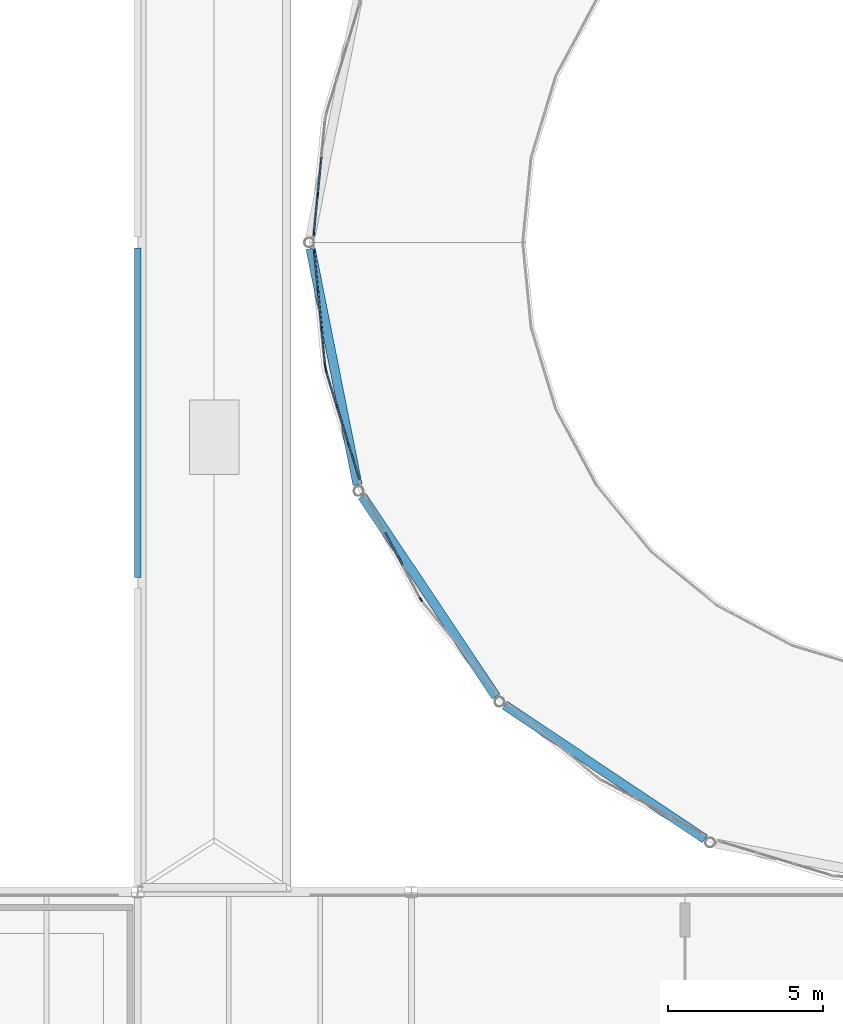
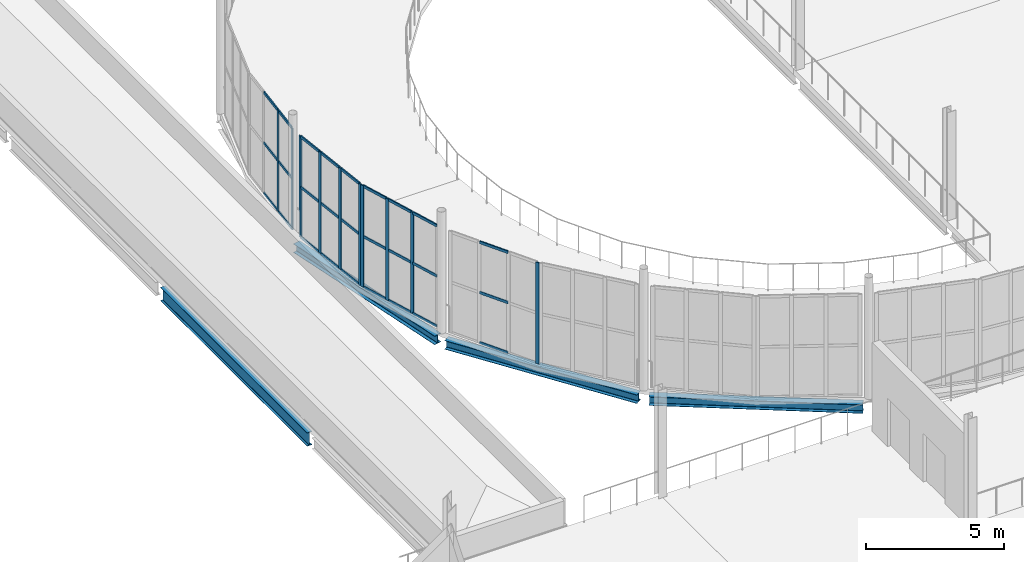
# One storey, part 26 of 112: 37 members, 4 beams, 4 elements without a shape of their own.
"""IFC4 building model written with IfcOpenShell, lengths in metres."""

from ifc_helpers import new_model, si_unit, direction, frame, origin, origin_2d, place, context, subcontext, project, spatial, rectangle, i_section, extrude, material, layer, layer_set, material_profile, profile_set, type_object, element, aggregate, save


model = new_model("IFC4")

# Units and contexts
model_context = context("Model", 3, precision=1e-05, world=origin(), true_north=direction((0.0, 1.0)))
body_context = subcontext(model_context, "Body", "Model", "MODEL_VIEW")
ifc_project = project(units=[si_unit("LENGTHUNIT", "METRE"), si_unit("AREAUNIT", "SQUARE_METRE"), si_unit("VOLUMEUNIT", "CUBIC_METRE"), si_unit("PLANEANGLEUNIT", "RADIAN"), si_unit("MASSUNIT", "GRAM", prefix="KILO")], contexts=[model_context])

# Site, building, storey
site_placement = place(None, origin())
site = spatial("IfcSite", under=ifc_project, at=site_placement, CompositionType="ELEMENT")
building_placement = place(site_placement, origin())
building = spatial("IfcBuilding", under=site, at=building_placement, Name="Yeouljin Market Hall", CompositionType="ELEMENT")
storey_placement = place(building_placement, frame((0.0, 0.0, 6.0)))
storey = spatial("IfcBuildingStorey", under=building, at=storey_placement, Name="L01", CompositionType="ELEMENT", Elevation=6.0)

# Beams
ifc_material_1 = material(Name="Steel SM355", Category="steel")
ifc_material_profile_1 = material_profile(ifc_material_1, i_section(OverallWidth=0.300048828125, OverallDepth=0.389892578125, WebThickness=0.010009765625, FlangeThickness=0.01611328125, FilletRadius=0.01806640625, at=origin_2d()), Name="H-390x300x10x16")
ifc_profile_set_1 = profile_set([ifc_material_profile_1], Name="Steel SM355")
beam_type_1 = type_object("IfcBeamType", Name="Beam_H-390x300x10x16", PredefinedType="BEAM", material=ifc_profile_set_1)
for number, where, z_axis, x_axis, name in (
    (1, (27.194580078125, 37.71142578125, -0.43994140625), (-0.831466218431, 0.555575312274, 0.0), (-0.555575312274, -0.831466218431, 0.0), "Apse ring beam L01 243"),
    (2, (20.43798828125, 42.31982421875, -0.43994140625), (-0.55559698595, 0.831451735943, 0.0), (-0.831451735943, -0.55559698595, 0.0), "Apse ring beam L01 244"),
):
    element("IfcBeam", number, at=place(storey_placement, frame(where, z_axis=z_axis, x_axis=x_axis)), inside=storey, type_object=beam_type_1, Name=name, PredefinedType="BEAM", context=body_context, shape_type="SweptSolid", body=[
        extrude(i_section(OverallWidth=0.300048828125, OverallDepth=0.389892578125, WebThickness=0.010009765625, FlangeThickness=0.01611328125, FilletRadius=0.01806640625, at=origin_2d()), origin(), (0.0, 0.0, 1.0), 7.787353515625),
    ])
beam_1_placement = place(storey_placement, frame((15.958984375, 49.162841796875, -0.43994140625), z_axis=(-0.195091123781, 0.980785120922, 0.0), x_axis=(-0.980785120922, -0.195091123781, 0.0)))
element("IfcBeam", 3, at=beam_1_placement, inside=storey, type_object=beam_type_1, Name="Apse ring beam L01 245", PredefinedType="BEAM", context=body_context, shape_type="SweptSolid", body=[
    extrude(i_section(OverallWidth=0.300048828125, OverallDepth=0.389892578125, WebThickness=0.010009765625, FlangeThickness=0.01611328125, FilletRadius=0.01806640625, at=origin_2d()), origin(), (0.0, 0.0, 1.0), 7.78759765625),
])
ifc_material_2 = material(Name="Steel SM355", Category="steel")
ifc_material_profile_2 = material_profile(ifc_material_2, i_section(OverallWidth=0.199951171875, OverallDepth=0.60009765625, WebThickness=0.010986328125, FlangeThickness=0.01708984375, FilletRadius=0.02197265625, at=origin_2d()), Name="H-600x200x11x17")
ifc_profile_set_2 = profile_set([ifc_material_profile_2], Name="Steel SM355")
beam_type_2 = type_object("IfcBeamType", Name="Beam_H-600x200x11x17", PredefinedType="BEAM", material=ifc_profile_set_2)
beam_2_placement = place(storey_placement, frame((8.85009765625, 46.175048828125, -0.56494140625), z_axis=(0.0, 1.0, 0.0), x_axis=(-1.0, 0.0, 0.0)))
element("IfcBeam", 4, at=beam_2_placement, inside=storey, type_object=beam_type_2, Name="Primary beam BM-L01-Y133", PredefinedType="BEAM", context=body_context, shape_type="SweptSolid", body=[
    extrude(i_section(OverallWidth=0.199951171875, OverallDepth=0.60009765625, WebThickness=0.010986328125, FlangeThickness=0.01708984375, FilletRadius=0.02197265625, at=origin_2d()), origin(), (0.0, 0.0, 1.0), 10.64990234375),
])

# Curtain wall, member
ifc_material_3 = material(Name="Thermally Broken Aluminium", Category="aluminium")
ifc_layer = layer(ifc_material_3, 0.179931640625)
ifc_layer_set = layer_set([ifc_layer], Name="Thermally Broken Aluminium")
curtain_wall_type = type_object("IfcCurtainWallType", Name="CW_ApseCurved_System", PredefinedType="USERDEFINED", material=ifc_layer_set)
curtain_wall_1_placement = place(storey_placement, origin())
curtain_wall_1 = element("IfcCurtainWall", 5, at=curtain_wall_1_placement, inside=storey, type_object=curtain_wall_type, Name="Curtain wall CW-AP-WL01-06", ObjectType="CURTAIN WALL", PredefinedType="USERDEFINED")
ifc_material_4 = material(Name="Thermally Broken Aluminium", Category="aluminium")
ifc_material_profile_3 = material_profile(ifc_material_4, rectangle(XDim=0.048095703125, YDim=0.14990234375, at=origin_2d()), Name="CW-MULL-48x150")
ifc_profile_set_3 = profile_set([ifc_material_profile_3], Name="Thermally Broken Aluminium")
member_type_1 = type_object("IfcMemberType", Name="CWMullion_48x150", PredefinedType="MULLION", material=ifc_profile_set_3)
member_1_placement = place(storey_placement, frame((18.0087890625, 45.4560546875, 0.0), z_axis=(0.0, 0.0, 1.0), x_axis=(-0.881931478712, -0.471377626598, 0.0)))
member_1 = element("IfcMember", 6, at=member_1_placement, type_object=member_type_1, Name="CW-03 mullion 1", PredefinedType="MULLION", context=body_context, shape_type="SweptSolid", body=[
    extrude(rectangle(XDim=0.048095703125, YDim=0.14990234375, at=origin_2d()), origin(), (0.0, 0.0, 1.0), 4.5),
])

# Curtain wall, members
curtain_wall_2_placement = place(storey_placement, origin())
curtain_wall_2 = element("IfcCurtainWall", 7, at=curtain_wall_2_placement, inside=storey, type_object=curtain_wall_type, Name="Curtain wall CW-AP-WL01-07", ObjectType="CURTAIN WALL", PredefinedType="USERDEFINED")
member_2_placement = place(storey_placement, frame((15.6630859375, 50.48095703125, 0.0), z_axis=(0.0, 0.0, 1.0), x_axis=(-0.95693988447, -0.290286164863, 0.0)))
member_2 = element("IfcMember", 8, at=member_2_placement, type_object=member_type_1, Name="CW-03 mullion 2", PredefinedType="MULLION", context=body_context, shape_type="SweptSolid", body=[
    extrude(rectangle(XDim=0.048095703125, YDim=0.14990234375, at=origin_2d()), origin(), (0.0, 0.0, 1.0), 4.5),
])
member_3_placement = place(storey_placement, frame((15.2978515625, 51.6845703125, 0.0), z_axis=(0.0, 0.0, 1.0), x_axis=(-0.95693988447, -0.290286164863, 0.0)))
member_3 = element("IfcMember", 9, at=member_3_placement, type_object=member_type_1, Name="CW-03 mullion 3", PredefinedType="MULLION", context=body_context, shape_type="SweptSolid", body=[
    extrude(rectangle(XDim=0.048095703125, YDim=0.14990234375, at=origin_2d()), origin(), (0.0, 0.0, 1.0), 4.5),
])
member_4_placement = place(storey_placement, frame((14.939697265625, 52.865234375, 0.0), z_axis=(0.0, 0.0, 1.0), x_axis=(-0.95693988447, -0.290286164863, 0.0)))
member_4 = element("IfcMember", 10, at=member_4_placement, type_object=member_type_1, Name="CW-03 mullion 4", PredefinedType="MULLION", context=body_context, shape_type="SweptSolid", body=[
    extrude(rectangle(XDim=0.048095703125, YDim=0.14990234375, at=origin_2d()), origin(), (0.0, 0.0, 1.0), 4.5),
])

curtain_wall_3_placement = place(storey_placement, origin())
curtain_wall_3 = element("IfcCurtainWall", 11, at=curtain_wall_3_placement, inside=storey, type_object=curtain_wall_type, Name="Curtain wall CW-AP-WL01-08", ObjectType="CURTAIN WALL", PredefinedType="USERDEFINED")
member_5_placement = place(storey_placement, frame((14.9150390625, 52.990234375, 0.0), z_axis=(0.0, 0.0, 1.0), x_axis=(-0.995183051807, -0.09803414403, 0.0)))
member_5 = element("IfcMember", 12, at=member_5_placement, type_object=member_type_1, Name="CW-03 mullion 1", PredefinedType="MULLION", context=body_context, shape_type="SweptSolid", body=[
    extrude(rectangle(XDim=0.048095703125, YDim=0.14990234375, at=origin_2d()), origin(), (0.0, 0.0, 1.0), 4.5),
])
member_6_placement = place(storey_placement, frame((14.7939453125, 54.218017578125, 0.0), z_axis=(0.0, 0.0, 1.0), x_axis=(-0.995183051807, -0.09803414403, 0.0)))
member_6 = element("IfcMember", 13, at=member_6_placement, type_object=member_type_1, Name="CW-03 mullion 2", PredefinedType="MULLION", context=body_context, shape_type="SweptSolid", body=[
    extrude(rectangle(XDim=0.048095703125, YDim=0.14990234375, at=origin_2d()), origin(), (0.0, 0.0, 1.0), 4.5),
])
member_7_placement = place(storey_placement, frame((14.670654296875, 55.4697265625, 0.0), z_axis=(0.0, 0.0, 1.0), x_axis=(-0.995183051807, -0.09803414403, 0.0)))
member_7 = element("IfcMember", 14, at=member_7_placement, type_object=member_type_1, Name="CW-03 mullion 3", PredefinedType="MULLION", context=body_context, shape_type="SweptSolid", body=[
    extrude(rectangle(XDim=0.048095703125, YDim=0.14990234375, at=origin_2d()), origin(), (0.0, 0.0, 1.0), 4.5),
])
member_8_placement = place(storey_placement, frame((14.5498046875, 56.697509765625, 0.0), z_axis=(0.0, 0.0, 1.0), x_axis=(-0.995183051807, -0.09803414403, 0.0)))
member_8 = element("IfcMember", 15, at=member_8_placement, type_object=member_type_1, Name="CW-03 mullion 4", PredefinedType="MULLION", context=body_context, shape_type="SweptSolid", body=[
    extrude(rectangle(XDim=0.048095703125, YDim=0.14990234375, at=origin_2d()), origin(), (0.0, 0.0, 1.0), 4.5),
])

curtain_wall_4_placement = place(storey_placement, origin())
curtain_wall_4 = element("IfcCurtainWall", 16, at=curtain_wall_4_placement, inside=storey, type_object=curtain_wall_type, Name="Curtain wall CW-AP-WL01-09", ObjectType="CURTAIN WALL", PredefinedType="USERDEFINED")
member_9_placement = place(storey_placement, frame((14.5498046875, 57.302490234375, 0.0), z_axis=(0.0, 0.0, 1.0), x_axis=(-0.995183051807, 0.09803414403, 0.0)))
member_9 = element("IfcMember", 17, at=member_9_placement, type_object=member_type_1, Name="CW-03 mullion 1", PredefinedType="MULLION", context=body_context, shape_type="SweptSolid", body=[
    extrude(rectangle(XDim=0.048095703125, YDim=0.14990234375, at=origin_2d()), origin(), (0.0, 0.0, 1.0), 4.5),
])
member_10_placement = place(storey_placement, frame((14.670654296875, 58.5302734375, 0.0), z_axis=(0.0, 0.0, 1.0), x_axis=(-0.995183051807, 0.09803414403, 0.0)))
member_10 = element("IfcMember", 18, at=member_10_placement, type_object=member_type_1, Name="CW-03 mullion 2", PredefinedType="MULLION", context=body_context, shape_type="SweptSolid", body=[
    extrude(rectangle(XDim=0.048095703125, YDim=0.14990234375, at=origin_2d()), origin(), (0.0, 0.0, 1.0), 4.5),
])

# Member
ifc_material_5 = material(Name="Thermally Broken Aluminium", Category="aluminium")
ifc_material_profile_4 = material_profile(ifc_material_5, rectangle(XDim=0.048095703125, YDim=0.1201171875, at=origin_2d()), Name="CW-TRAN-48x120")
ifc_profile_set_4 = profile_set([ifc_material_profile_4], Name="Thermally Broken Aluminium")
member_type_2 = type_object("IfcMemberType", Name="CWTransom_48x120", PredefinedType="USERDEFINED", material=ifc_profile_set_4)
member_11_placement = place(storey_placement, frame((17.415771484375, 46.5654296875, 0.02392578125), z_axis=(-0.471425984611, 0.881905630458, 0.0), x_axis=(-0.881905630458, -0.471425984611, 0.0)))
member_11 = element("IfcMember", 19, at=member_11_placement, type_object=member_type_2, Name="CW-03 transom 2.1", ObjectType="TRANSOM", PredefinedType="USERDEFINED", context=body_context, shape_type="SweptSolid", body=[
    extrude(rectangle(XDim=0.048095703125, YDim=0.1201171875, at=origin_2d()), origin(), (0.0, 0.0, 1.0), 1.209716796875),
])

member_12_placement = place(storey_placement, frame((17.415771484375, 46.5654296875, 2.25), z_axis=(-0.471425984611, 0.881905630458, 0.0), x_axis=(-0.881905630458, -0.471425984611, 0.0)))
member_12 = element("IfcMember", 20, at=member_12_placement, type_object=member_type_2, Name="CW-03 transom 2.2", ObjectType="TRANSOM", PredefinedType="USERDEFINED", context=body_context, shape_type="SweptSolid", body=[
    extrude(rectangle(XDim=0.048095703125, YDim=0.1201171875, at=origin_2d()), origin(), (0.0, 0.0, 1.0), 1.209716796875),
])

member_13_placement = place(storey_placement, frame((17.415771484375, 46.5654296875, 4.47607421875), z_axis=(-0.471425984611, 0.881905630458, 0.0), x_axis=(-0.881905630458, -0.471425984611, 0.0)))
member_13 = element("IfcMember", 21, at=member_13_placement, type_object=member_type_2, Name="CW-03 transom 2.3", ObjectType="TRANSOM", PredefinedType="USERDEFINED", context=body_context, shape_type="SweptSolid", body=[
    extrude(rectangle(XDim=0.048095703125, YDim=0.1201171875, at=origin_2d()), origin(), (0.0, 0.0, 1.0), 1.209716796875),
])

aggregate(curtain_wall_1, [member_1, member_11, member_12, member_13])

member_14_placement = place(storey_placement, frame((16.01416015625, 49.323486328125, 0.02392578125), z_axis=(-0.290350291671, 0.95692042936, 0.0), x_axis=(-0.95692042936, -0.290350291671, 0.0)))
member_14 = element("IfcMember", 22, at=member_14_placement, type_object=member_type_2, Name="CW-03 transom 1.1", ObjectType="TRANSOM", PredefinedType="USERDEFINED", context=body_context, shape_type="SweptSolid", body=[
    extrude(rectangle(XDim=0.048095703125, YDim=0.1201171875, at=origin_2d()), origin(), (0.0, 0.0, 1.0), 1.185546875),
])

member_15_placement = place(storey_placement, frame((16.01416015625, 49.323486328125, 2.25), z_axis=(-0.290350291671, 0.95692042936, 0.0), x_axis=(-0.95692042936, -0.290350291671, 0.0)))
member_15 = element("IfcMember", 23, at=member_15_placement, type_object=member_type_2, Name="CW-03 transom 1.2", ObjectType="TRANSOM", PredefinedType="USERDEFINED", context=body_context, shape_type="SweptSolid", body=[
    extrude(rectangle(XDim=0.048095703125, YDim=0.1201171875, at=origin_2d()), origin(), (0.0, 0.0, 1.0), 1.185546875),
])

member_16_placement = place(storey_placement, frame((16.01416015625, 49.323486328125, 4.47607421875), z_axis=(-0.290350291671, 0.95692042936, 0.0), x_axis=(-0.95692042936, -0.290350291671, 0.0)))
member_16 = element("IfcMember", 24, at=member_16_placement, type_object=member_type_2, Name="CW-03 transom 1.3", ObjectType="TRANSOM", PredefinedType="USERDEFINED", context=body_context, shape_type="SweptSolid", body=[
    extrude(rectangle(XDim=0.048095703125, YDim=0.1201171875, at=origin_2d()), origin(), (0.0, 0.0, 1.0), 1.185546875),
])

member_17_placement = place(storey_placement, frame((15.656005859375, 50.504150390625, 0.02392578125), z_axis=(-0.290253878276, 0.956949677959, 0.0), x_axis=(-0.956949677959, -0.290253878276, 0.0)))
member_17 = element("IfcMember", 25, at=member_17_placement, type_object=member_type_2, Name="CW-03 transom 2.1", ObjectType="TRANSOM", PredefinedType="USERDEFINED", context=body_context, shape_type="SweptSolid", body=[
    extrude(rectangle(XDim=0.048095703125, YDim=0.1201171875, at=origin_2d()), origin(), (0.0, 0.0, 1.0), 1.20947265625),
])

member_18_placement = place(storey_placement, frame((15.656005859375, 50.504150390625, 2.25), z_axis=(-0.290253878276, 0.956949677959, 0.0), x_axis=(-0.956949677959, -0.290253878276, 0.0)))
member_18 = element("IfcMember", 26, at=member_18_placement, type_object=member_type_2, Name="CW-03 transom 2.2", ObjectType="TRANSOM", PredefinedType="USERDEFINED", context=body_context, shape_type="SweptSolid", body=[
    extrude(rectangle(XDim=0.048095703125, YDim=0.1201171875, at=origin_2d()), origin(), (0.0, 0.0, 1.0), 1.20947265625),
])

member_19_placement = place(storey_placement, frame((15.656005859375, 50.504150390625, 4.47607421875), z_axis=(-0.290253878276, 0.956949677959, 0.0), x_axis=(-0.956949677959, -0.290253878276, 0.0)))
member_19 = element("IfcMember", 27, at=member_19_placement, type_object=member_type_2, Name="CW-03 transom 2.3", ObjectType="TRANSOM", PredefinedType="USERDEFINED", context=body_context, shape_type="SweptSolid", body=[
    extrude(rectangle(XDim=0.048095703125, YDim=0.1201171875, at=origin_2d()), origin(), (0.0, 0.0, 1.0), 1.20947265625),
])

member_20_placement = place(storey_placement, frame((15.291015625, 51.70751953125, 0.02392578125), z_axis=(-0.290293088565, 0.956937784149, 0.0), x_axis=(-0.956937784149, -0.290293088565, 0.0)))
member_20 = element("IfcMember", 28, at=member_20_placement, type_object=member_type_2, Name="CW-03 transom 3.1", ObjectType="TRANSOM", PredefinedType="USERDEFINED", context=body_context, shape_type="SweptSolid", body=[
    extrude(rectangle(XDim=0.048095703125, YDim=0.1201171875, at=origin_2d()), origin(), (0.0, 0.0, 1.0), 1.185791015625),
])

member_21_placement = place(storey_placement, frame((15.291015625, 51.70751953125, 2.25), z_axis=(-0.290293088565, 0.956937784149, 0.0), x_axis=(-0.956937784149, -0.290293088565, 0.0)))
member_21 = element("IfcMember", 29, at=member_21_placement, type_object=member_type_2, Name="CW-03 transom 3.2", ObjectType="TRANSOM", PredefinedType="USERDEFINED", context=body_context, shape_type="SweptSolid", body=[
    extrude(rectangle(XDim=0.048095703125, YDim=0.1201171875, at=origin_2d()), origin(), (0.0, 0.0, 1.0), 1.185791015625),
])

member_22_placement = place(storey_placement, frame((15.291015625, 51.70751953125, 4.47607421875), z_axis=(-0.290293088565, 0.956937784149, 0.0), x_axis=(-0.956937784149, -0.290293088565, 0.0)))
member_22 = element("IfcMember", 30, at=member_22_placement, type_object=member_type_2, Name="CW-03 transom 3.3", ObjectType="TRANSOM", PredefinedType="USERDEFINED", context=body_context, shape_type="SweptSolid", body=[
    extrude(rectangle(XDim=0.048095703125, YDim=0.1201171875, at=origin_2d()), origin(), (0.0, 0.0, 1.0), 1.185791015625),
])

aggregate(curtain_wall_2, [member_2, member_3, member_4, member_14, member_15, member_16, member_17, member_18, member_19, member_20, member_21, member_22])

member_23_placement = place(storey_placement, frame((14.91259765625, 53.01416015625, 0.02392578125), z_axis=(-0.098015314606, 0.995184906489, 0.0), x_axis=(-0.995184906489, -0.098015314606, 0.0)))
member_23 = element("IfcMember", 31, at=member_23_placement, type_object=member_type_2, Name="CW-03 transom 1.1", ObjectType="TRANSOM", PredefinedType="USERDEFINED", context=body_context, shape_type="SweptSolid", body=[
    extrude(rectangle(XDim=0.048095703125, YDim=0.1201171875, at=origin_2d()), origin(), (0.0, 0.0, 1.0), 1.185546875),
])

member_24_placement = place(storey_placement, frame((14.91259765625, 53.01416015625, 2.25), z_axis=(-0.098015314606, 0.995184906489, 0.0), x_axis=(-0.995184906489, -0.098015314606, 0.0)))
member_24 = element("IfcMember", 32, at=member_24_placement, type_object=member_type_2, Name="CW-03 transom 1.2", ObjectType="TRANSOM", PredefinedType="USERDEFINED", context=body_context, shape_type="SweptSolid", body=[
    extrude(rectangle(XDim=0.048095703125, YDim=0.1201171875, at=origin_2d()), origin(), (0.0, 0.0, 1.0), 1.185546875),
])

member_25_placement = place(storey_placement, frame((14.91259765625, 53.01416015625, 4.47607421875), z_axis=(-0.098015314606, 0.995184906489, 0.0), x_axis=(-0.995184906489, -0.098015314606, 0.0)))
member_25 = element("IfcMember", 33, at=member_25_placement, type_object=member_type_2, Name="CW-03 transom 1.3", ObjectType="TRANSOM", PredefinedType="USERDEFINED", context=body_context, shape_type="SweptSolid", body=[
    extrude(rectangle(XDim=0.048095703125, YDim=0.1201171875, at=origin_2d()), origin(), (0.0, 0.0, 1.0), 1.185546875),
])

member_26_placement = place(storey_placement, frame((14.791748046875, 54.241943359375, 0.02392578125), z_axis=(-0.098084878045, 0.995178052762, 0.0), x_axis=(-0.995178052762, -0.098084878045, 0.0)))
member_26 = element("IfcMember", 34, at=member_26_placement, type_object=member_type_2, Name="CW-03 transom 2.1", ObjectType="TRANSOM", PredefinedType="USERDEFINED", context=body_context, shape_type="SweptSolid", body=[
    extrude(rectangle(XDim=0.048095703125, YDim=0.1201171875, at=origin_2d()), origin(), (0.0, 0.0, 1.0), 1.209716796875),
])

member_27_placement = place(storey_placement, frame((14.791748046875, 54.241943359375, 2.25), z_axis=(-0.098084878045, 0.995178052762, 0.0), x_axis=(-0.995178052762, -0.098084878045, 0.0)))
member_27 = element("IfcMember", 35, at=member_27_placement, type_object=member_type_2, Name="CW-03 transom 2.2", ObjectType="TRANSOM", PredefinedType="USERDEFINED", context=body_context, shape_type="SweptSolid", body=[
    extrude(rectangle(XDim=0.048095703125, YDim=0.1201171875, at=origin_2d()), origin(), (0.0, 0.0, 1.0), 1.209716796875),
])

member_28_placement = place(storey_placement, frame((14.791748046875, 54.241943359375, 4.47607421875), z_axis=(-0.098084878045, 0.995178052762, 0.0), x_axis=(-0.995178052762, -0.098084878045, 0.0)))
member_28 = element("IfcMember", 36, at=member_28_placement, type_object=member_type_2, Name="CW-03 transom 2.3", ObjectType="TRANSOM", PredefinedType="USERDEFINED", context=body_context, shape_type="SweptSolid", body=[
    extrude(rectangle(XDim=0.048095703125, YDim=0.1201171875, at=origin_2d()), origin(), (0.0, 0.0, 1.0), 1.209716796875),
])

member_29_placement = place(storey_placement, frame((14.66845703125, 55.493408203125, 0.02392578125), z_axis=(-0.098199122264, 0.995166786216, 0.0), x_axis=(-0.995166786216, -0.098199122264, 0.0)))
member_29 = element("IfcMember", 37, at=member_29_placement, type_object=member_type_2, Name="CW-03 transom 3.1", ObjectType="TRANSOM", PredefinedType="USERDEFINED", context=body_context, shape_type="SweptSolid", body=[
    extrude(rectangle(XDim=0.048095703125, YDim=0.1201171875, at=origin_2d()), origin(), (0.0, 0.0, 1.0), 1.185791015625),
])

member_30_placement = place(storey_placement, frame((14.66845703125, 55.493408203125, 2.25), z_axis=(-0.098199122264, 0.995166786216, 0.0), x_axis=(-0.995166786216, -0.098199122264, 0.0)))
member_30 = element("IfcMember", 38, at=member_30_placement, type_object=member_type_2, Name="CW-03 transom 3.2", ObjectType="TRANSOM", PredefinedType="USERDEFINED", context=body_context, shape_type="SweptSolid", body=[
    extrude(rectangle(XDim=0.048095703125, YDim=0.1201171875, at=origin_2d()), origin(), (0.0, 0.0, 1.0), 1.185791015625),
])

member_31_placement = place(storey_placement, frame((14.66845703125, 55.493408203125, 4.47607421875), z_axis=(-0.098199122264, 0.995166786216, 0.0), x_axis=(-0.995166786216, -0.098199122264, 0.0)))
member_31 = element("IfcMember", 39, at=member_31_placement, type_object=member_type_2, Name="CW-03 transom 3.3", ObjectType="TRANSOM", PredefinedType="USERDEFINED", context=body_context, shape_type="SweptSolid", body=[
    extrude(rectangle(XDim=0.048095703125, YDim=0.1201171875, at=origin_2d()), origin(), (0.0, 0.0, 1.0), 1.185791015625),
])

aggregate(curtain_wall_3, [member_5, member_6, member_7, member_8, member_23, member_24, member_25, member_26, member_27, member_28, member_29, member_30, member_31])

member_32_placement = place(storey_placement, frame((14.552001953125, 57.326416015625, 0.02392578125), z_axis=(0.098199122264, 0.995166786216, 0.0), x_axis=(-0.995166786216, 0.098199122264, 0.0)))
member_32 = element("IfcMember", 40, at=member_32_placement, type_object=member_type_2, Name="CW-03 transom 1.1", ObjectType="TRANSOM", PredefinedType="USERDEFINED", context=body_context, shape_type="SweptSolid", body=[
    extrude(rectangle(XDim=0.048095703125, YDim=0.1201171875, at=origin_2d()), origin(), (0.0, 0.0, 1.0), 1.185791015625),
])

member_33_placement = place(storey_placement, frame((14.552001953125, 57.326416015625, 2.25), z_axis=(0.098199122264, 0.995166786216, 0.0), x_axis=(-0.995166786216, 0.098199122264, 0.0)))
member_33 = element("IfcMember", 41, at=member_33_placement, type_object=member_type_2, Name="CW-03 transom 1.2", ObjectType="TRANSOM", PredefinedType="USERDEFINED", context=body_context, shape_type="SweptSolid", body=[
    extrude(rectangle(XDim=0.048095703125, YDim=0.1201171875, at=origin_2d()), origin(), (0.0, 0.0, 1.0), 1.185791015625),
])

member_34_placement = place(storey_placement, frame((14.552001953125, 57.326416015625, 4.47607421875), z_axis=(0.098199122264, 0.995166786216, 0.0), x_axis=(-0.995166786216, 0.098199122264, 0.0)))
member_34 = element("IfcMember", 42, at=member_34_placement, type_object=member_type_2, Name="CW-03 transom 1.3", ObjectType="TRANSOM", PredefinedType="USERDEFINED", context=body_context, shape_type="SweptSolid", body=[
    extrude(rectangle(XDim=0.048095703125, YDim=0.1201171875, at=origin_2d()), origin(), (0.0, 0.0, 1.0), 1.185791015625),
])

member_35_placement = place(storey_placement, frame((14.673095703125, 58.55419921875, 0.02392578125), z_axis=(0.098084878045, 0.995178052762, 0.0), x_axis=(-0.995178052762, 0.098084878045, 0.0)))
member_35 = element("IfcMember", 43, at=member_35_placement, type_object=member_type_2, Name="CW-03 transom 2.1", ObjectType="TRANSOM", PredefinedType="USERDEFINED", context=body_context, shape_type="SweptSolid", body=[
    extrude(rectangle(XDim=0.048095703125, YDim=0.1201171875, at=origin_2d()), origin(), (0.0, 0.0, 1.0), 1.209716796875),
])

member_36_placement = place(storey_placement, frame((14.673095703125, 58.55419921875, 2.25), z_axis=(0.098084878045, 0.995178052762, 0.0), x_axis=(-0.995178052762, 0.098084878045, 0.0)))
member_36 = element("IfcMember", 44, at=member_36_placement, type_object=member_type_2, Name="CW-03 transom 2.2", ObjectType="TRANSOM", PredefinedType="USERDEFINED", context=body_context, shape_type="SweptSolid", body=[
    extrude(rectangle(XDim=0.048095703125, YDim=0.1201171875, at=origin_2d()), origin(), (0.0, 0.0, 1.0), 1.209716796875),
])

member_37_placement = place(storey_placement, frame((14.673095703125, 58.55419921875, 4.47607421875), z_axis=(0.098084878045, 0.995178052762, 0.0), x_axis=(-0.995178052762, 0.098084878045, 0.0)))
member_37 = element("IfcMember", 45, at=member_37_placement, type_object=member_type_2, Name="CW-03 transom 2.3", ObjectType="TRANSOM", PredefinedType="USERDEFINED", context=body_context, shape_type="SweptSolid", body=[
    extrude(rectangle(XDim=0.048095703125, YDim=0.1201171875, at=origin_2d()), origin(), (0.0, 0.0, 1.0), 1.209716796875),
])

aggregate(curtain_wall_4, [member_9, member_10, member_32, member_33, member_34, member_35, member_36, member_37])

save(model, "model.ifc")
